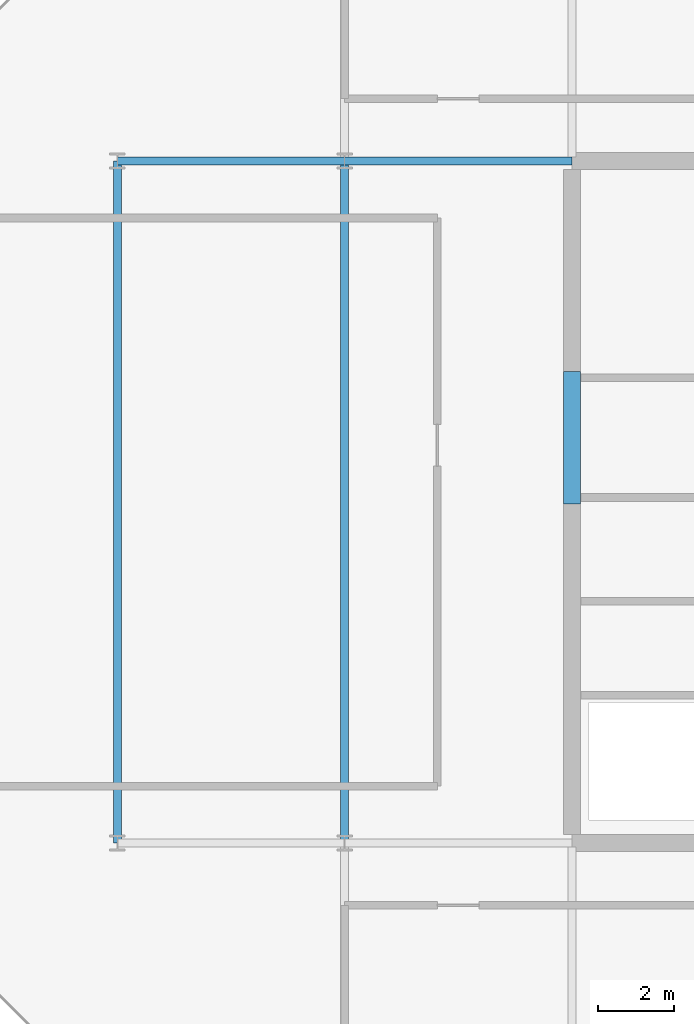
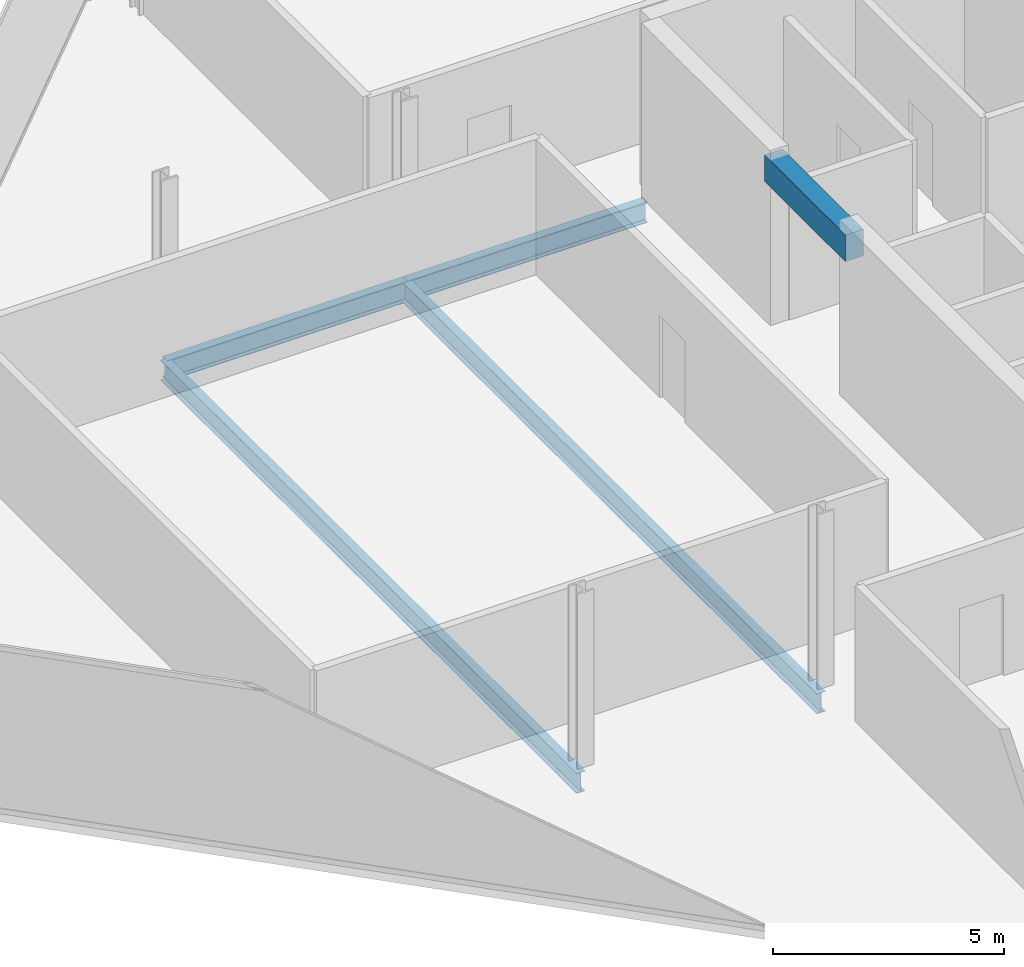
# One storey, part 5 of 16: 5 beams.
"""IFC4 building model written with IfcOpenShell, lengths in metres."""

from ifc_helpers import new_model, si_unit, direction, frame, origin, origin_2d, place, context, subcontext, project, spatial, rectangle, i_section, extrude, material, material_profile, profile_set, type_object, element, save


model = new_model("IFC4")

# Units and contexts
model_context = context("Model", 3, precision=1e-05, world=origin(), true_north=direction((0.0, 1.0)))
body_context = subcontext(model_context, "Body", "Model", "MODEL_VIEW")
ifc_project = project(units=[si_unit("LENGTHUNIT", "METRE"), si_unit("AREAUNIT", "SQUARE_METRE"), si_unit("VOLUMEUNIT", "CUBIC_METRE"), si_unit("PLANEANGLEUNIT", "RADIAN"), si_unit("MASSUNIT", "GRAM", prefix="KILO")], contexts=[model_context])

# Site, building, storey
site_placement = place(None, origin())
site = spatial("IfcSite", under=ifc_project, at=site_placement, CompositionType="ELEMENT")
building_placement = place(site_placement, origin())
building = spatial("IfcBuilding", under=site, at=building_placement, Name="Tanjung Sevakor Pilgrim Tower", CompositionType="ELEMENT")
storey_placement = place(building_placement, frame((0.0, 0.0, 283.139892578125)))
storey = spatial("IfcBuildingStorey", under=building, at=storey_placement, Name="L79", CompositionType="ELEMENT", Elevation=283.139892578125)

# Beams
ifc_material_1 = material(Name="Steel S355J2", Category="steel")
ifc_material_profile_1 = material_profile(ifc_material_1, i_section(OverallWidth=0.2119140625, OverallDepth=0.54443359375, WebThickness=0.0126953125, FlangeThickness=0.021240234375, FilletRadius=0.0126953125, at=origin_2d()))
ifc_profile_set_1 = profile_set([ifc_material_profile_1], Name="Steel S355J2")
beam_type_1 = type_object("IfcBeamType", Name="BM-B-G5-UB_533x210x122", PredefinedType="BEAM", material=ifc_profile_set_1)
for number, where, z_axis, x_axis, name in (
    (1, (66.0, 42.60009765625, -0.531982421875), (1.0, 0.0, 0.0), (0.0, 1.0, 0.0), "L79 Primary Floor Girder EAST Y426-01"),
    (2, (72.0, 42.60009765625, -0.531982421875), (1.0, 0.0, 0.0), (0.0, 1.0, 0.0), "L79 Primary Floor Girder EAST Y426-02"),
):
    element("IfcBeam", number, at=place(storey_placement, frame(where, z_axis=z_axis, x_axis=x_axis)), inside=storey, type_object=beam_type_1, Name=name, PredefinedType="BEAM", context=body_context, shape_type="SweptSolid", body=[
        extrude(i_section(OverallWidth=0.2119140625, OverallDepth=0.54443359375, WebThickness=0.0126953125, FlangeThickness=0.021240234375, FilletRadius=0.0126953125, at=origin_2d()), origin(), (0.0, 0.0, 1.0), 6.0),
    ])
ifc_material_2 = material(Name="Steel S355J2", Category="steel")
ifc_material_profile_2 = material_profile(ifc_material_2, i_section(OverallWidth=0.210693359375, OverallDepth=0.53955078125, WebThickness=0.01171875, FlangeThickness=0.018798828125, FilletRadius=0.0126953125, at=origin_2d()))
ifc_profile_set_2 = profile_set([ifc_material_profile_2], Name="Steel S355J2")
beam_type_2 = type_object("IfcBeamType", Name="BM-B-G6-UB_533x210x109", PredefinedType="BEAM", material=ifc_profile_set_2)
for number, where, z_axis, x_axis, name in (
    (3, (66.0, 24.60009765625, -0.529541015625), (0.0, 1.0, 0.0), (-1.0, 0.0, 0.0), "L79 EAST Girder 001"),
    (4, (72.0, 24.60009765625, -0.529541015625), (0.0, 1.0, 0.0), (-1.0, 0.0, 0.0), "L79 EAST Girder 003"),
):
    element("IfcBeam", number, at=place(storey_placement, frame(where, z_axis=z_axis, x_axis=x_axis)), inside=storey, type_object=beam_type_2, Name=name, PredefinedType="BEAM", context=body_context, shape_type="SweptSolid", body=[
        extrude(i_section(OverallWidth=0.210693359375, OverallDepth=0.53955078125, WebThickness=0.01171875, FlangeThickness=0.018798828125, FilletRadius=0.0126953125, at=origin_2d()), origin(), (0.0, 0.0, 1.0), 18.0),
    ])
ifc_material_3 = material(Name="Concrete C60/75", Category="concrete")
ifc_material_profile_3 = material_profile(ifc_material_3, rectangle(XDim=0.449951171875, YDim=0.699951171875, at=origin_2d()))
ifc_profile_set_3 = profile_set([ifc_material_profile_3], Name="Concrete C60/75")
beam_type_3 = type_object("IfcBeamType", Name="BM-B-LN3-RC-BM_450x700", PredefinedType="LINTEL", material=ifc_profile_set_3)
beam_placement = place(storey_placement, frame((78.0, 33.550048828125, 4.010009765625), z_axis=(0.0, 1.0, 0.0), x_axis=(-1.0, 0.0, 0.0)))
element("IfcBeam", 5, at=beam_placement, inside=storey, type_object=beam_type_3, Name="L79 E Core Coupling Lintel", PredefinedType="LINTEL", context=body_context, shape_type="SweptSolid", body=[
    extrude(rectangle(XDim=0.449951171875, YDim=0.699951171875, at=origin_2d()), origin(), (0.0, 0.0, 1.0), 3.5),
])

save(model, "model.ifc")
